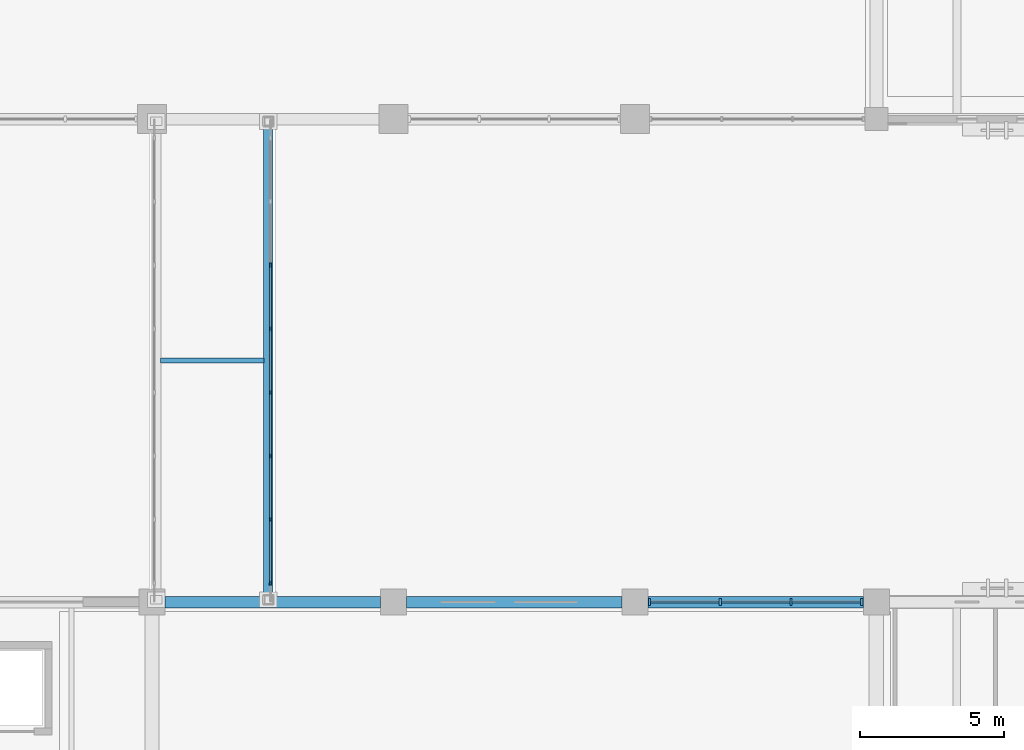
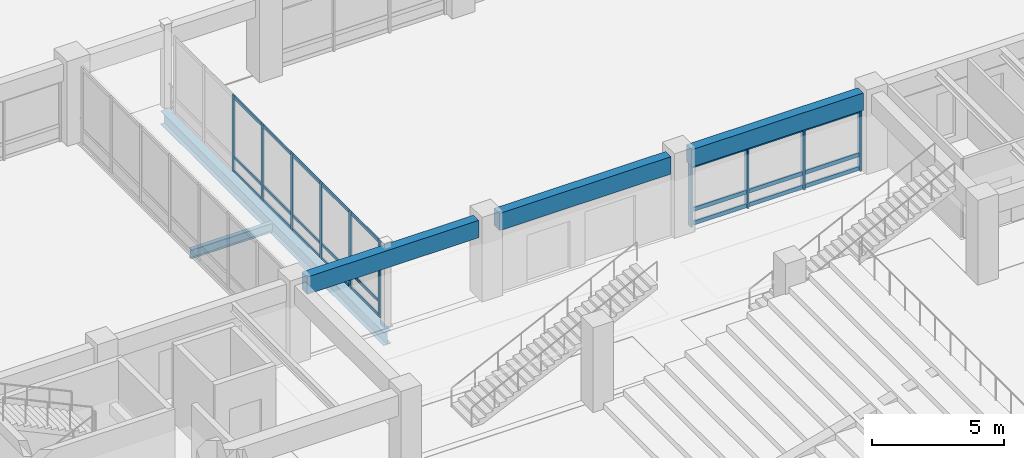
# One storey, part 38 of 135: 34 members, 5 beams, 2 elements without a shape of their own.
"""IFC4 building model written with IfcOpenShell, lengths in metres."""

from ifc_helpers import new_model, si_unit, direction, frame, origin, origin_2d, place, context, subcontext, project, spatial, rectangle, i_section, extrude, material, material_profile, profile_set, type_object, element, aggregate, save


model = new_model("IFC4")

# Units and contexts
model_context = context("Model", 3, precision=1e-05, world=origin(), true_north=direction((0.0, 1.0)))
body_context = subcontext(model_context, "Body", "Model", "MODEL_VIEW")
ifc_project = project(units=[si_unit("LENGTHUNIT", "METRE"), si_unit("AREAUNIT", "SQUARE_METRE"), si_unit("VOLUMEUNIT", "CUBIC_METRE"), si_unit("PLANEANGLEUNIT", "RADIAN"), si_unit("MASSUNIT", "GRAM", prefix="KILO")], contexts=[model_context])

# Site, building, storey
site_placement = place(None, origin())
site = spatial("IfcSite", under=ifc_project, at=site_placement, CompositionType="ELEMENT")
building_placement = place(site_placement, origin())
building = spatial("IfcBuilding", under=site, at=building_placement, Name="Cumbredor Promenade Congress Hotel", CompositionType="ELEMENT")
storey_placement = place(building_placement, origin())
storey = spatial("IfcBuildingStorey", under=building, at=storey_placement, Name="L00", CompositionType="ELEMENT", Elevation=0.0)

# Beam
ifc_material_1 = material(Name="Steel ASTM A992 Grade 50", Category="steel")
ifc_material_profile_1 = material_profile(ifc_material_1, i_section(OverallWidth=0.323974609375, OverallDepth=0.611083984375, WebThickness=0.0126953125, FlangeThickness=0.01904296875, at=origin_2d()), Name="W24X104")
ifc_profile_set_1 = profile_set([ifc_material_profile_1], Name="Steel ASTM A992 Grade 50")
beam_type_1 = type_object("IfcBeamType", Name="BM-W24X104", PredefinedType="BEAM", material=ifc_profile_set_1)
beam_1_placement = place(storey_placement, frame((29.25, 67.159912109375, -0.525390625), z_axis=(0.0, 1.0, 0.0), x_axis=(-1.0, 0.0, 0.0)))
element("IfcBeam", 1, at=beam_1_placement, inside=storey, type_object=beam_type_1, Name="L00 West Congress-to-Hotel Glazed Bridge Edge Girder 2", PredefinedType="BEAM", context=body_context, shape_type="SweptSolid", body=[
    extrude(i_section(OverallWidth=0.323974609375, OverallDepth=0.611083984375, WebThickness=0.0126953125, FlangeThickness=0.01904296875, at=origin_2d()), origin(), (0.0, 0.0, 1.0), 16.880126953125),
])

# Curtain wall, members
ifc_material_2 = material(Name="Thermally broken anodized aluminium and low-E glass", Category="aluminium")
curtain_wall_type_1 = type_object("IfcCurtainWallType", Name="Unitised Bridge Glazing Screen CW-05", PredefinedType="NOTDEFINED", material=ifc_material_2)
curtain_wall_1_placement = place(storey_placement, origin())
curtain_wall_1 = element("IfcCurtainWall", 2, at=curtain_wall_1_placement, inside=storey, type_object=curtain_wall_type_1, Name="L00 West Congress-to-Hotel Glazed Bridge East Glazing Screen", PredefinedType="NOTDEFINED")
ifc_material_3 = material(Name="Thermally broken anodized aluminium", Category="aluminium")
ifc_material_profile_2 = material_profile(ifc_material_3, rectangle(XDim=0.06494140625, YDim=0.159912109375, at=origin_2d()), Name="ALU MULLION 65x160")
ifc_profile_set_2 = profile_set([ifc_material_profile_2], Name="Thermally broken anodized aluminium")
member_type_1 = type_object("IfcMemberType", Name="Curtain Wall Mullion ML-01", PredefinedType="MULLION", material=ifc_profile_set_2)
member_1_placement = place(storey_placement, frame((29.320068359375, 67.860107421875, -0.008056640625), z_axis=(0.0, 0.0, 1.0), x_axis=(1.0, 0.0, 0.0)))
member_1 = element("IfcMember", 3, at=member_1_placement, type_object=member_type_1, Name="L00 West Congress-to-Hotel Glazed Bridge East Glazing Screen Mullion 1", PredefinedType="MULLION", context=body_context, shape_type="SweptSolid", body=[
    extrude(rectangle(XDim=0.06494140625, YDim=0.159912109375, at=origin_2d()), origin(), (0.0, 0.0, 1.0), 3.55615234375),
])
member_2_placement = place(storey_placement, frame((29.320068359375, 70.0712890625, -0.008056640625), z_axis=(0.0, 0.0, 1.0), x_axis=(1.0, 0.0, 0.0)))
member_2 = element("IfcMember", 4, at=member_2_placement, type_object=member_type_1, Name="L00 West Congress-to-Hotel Glazed Bridge East Glazing Screen Mullion 2", PredefinedType="MULLION", context=body_context, shape_type="SweptSolid", body=[
    extrude(rectangle(XDim=0.06494140625, YDim=0.159912109375, at=origin_2d()), origin(), (0.0, 0.0, 1.0), 3.55615234375),
])
member_3_placement = place(storey_placement, frame((29.320068359375, 72.282958984375, -0.008056640625), z_axis=(0.0, 0.0, 1.0), x_axis=(1.0, 0.0, 0.0)))
member_3 = element("IfcMember", 5, at=member_3_placement, type_object=member_type_1, Name="L00 West Congress-to-Hotel Glazed Bridge East Glazing Screen Mullion 3", PredefinedType="MULLION", context=body_context, shape_type="SweptSolid", body=[
    extrude(rectangle(XDim=0.06494140625, YDim=0.159912109375, at=origin_2d()), origin(), (0.0, 0.0, 1.0), 3.55615234375),
])
member_4_placement = place(storey_placement, frame((29.320068359375, 74.494384765625, -0.008056640625), z_axis=(0.0, 0.0, 1.0), x_axis=(1.0, 0.0, 0.0)))
member_4 = element("IfcMember", 6, at=member_4_placement, type_object=member_type_1, Name="L00 West Congress-to-Hotel Glazed Bridge East Glazing Screen Mullion 4", PredefinedType="MULLION", context=body_context, shape_type="SweptSolid", body=[
    extrude(rectangle(XDim=0.06494140625, YDim=0.159912109375, at=origin_2d()), origin(), (0.0, 0.0, 1.0), 3.55615234375),
])
member_5_placement = place(storey_placement, frame((29.320068359375, 76.705810546875, -0.008056640625), z_axis=(0.0, 0.0, 1.0), x_axis=(1.0, 0.0, 0.0)))
member_5 = element("IfcMember", 7, at=member_5_placement, type_object=member_type_1, Name="L00 West Congress-to-Hotel Glazed Bridge East Glazing Screen Mullion 5", PredefinedType="MULLION", context=body_context, shape_type="SweptSolid", body=[
    extrude(rectangle(XDim=0.06494140625, YDim=0.159912109375, at=origin_2d()), origin(), (0.0, 0.0, 1.0), 3.55615234375),
])
member_6_placement = place(storey_placement, frame((29.320068359375, 78.9169921875, -0.008056640625), z_axis=(0.0, 0.0, 1.0), x_axis=(1.0, 0.0, 0.0)))
member_6 = element("IfcMember", 8, at=member_6_placement, type_object=member_type_1, Name="L00 West Congress-to-Hotel Glazed Bridge East Glazing Screen Mullion 6", PredefinedType="MULLION", context=body_context, shape_type="SweptSolid", body=[
    extrude(rectangle(XDim=0.06494140625, YDim=0.159912109375, at=origin_2d()), origin(), (0.0, 0.0, 1.0), 3.55615234375),
])

curtain_wall_type_2 = type_object("IfcCurtainWallType", Name="Unitised Grand Foyer Curtain Wall CW-04", PredefinedType="NOTDEFINED", material=ifc_material_2)
curtain_wall_2_placement = place(storey_placement, origin())
curtain_wall_2 = element("IfcCurtainWall", 9, at=curtain_wall_2_placement, inside=storey, type_object=curtain_wall_type_2, Name="L00 Plenary Congress Hall North Curtain Wall 5", PredefinedType="NOTDEFINED")
ifc_material_profile_3 = material_profile(ifc_material_3, rectangle(XDim=0.080078125, YDim=0.239990234375, at=origin_2d()), Name="ALU MULLION 80x240")
ifc_profile_set_3 = profile_set([ifc_material_profile_3], Name="Thermally broken anodized aluminium")
member_type_2 = type_object("IfcMemberType", Name="Curtain Wall Mullion ML-03", PredefinedType="MULLION", material=ifc_profile_set_3)
member_7_placement = place(storey_placement, frame((42.5048828125, 67.199951171875, -0.008056640625), z_axis=(0.0, 0.0, 1.0), x_axis=(1.0, 0.0, 0.0)))
member_7 = element("IfcMember", 10, at=member_7_placement, type_object=member_type_2, Name="L00 Plenary Congress Hall North Curtain Wall 5 Mullion 1", PredefinedType="MULLION", context=body_context, shape_type="SweptSolid", body=[
    extrude(rectangle(XDim=0.080078125, YDim=0.239990234375, at=origin_2d()), origin(), (0.0, 0.0, 1.0), 2.841064453125),
])
member_8_placement = place(storey_placement, frame((44.96826171875, 67.199951171875, -0.008056640625), z_axis=(0.0, 0.0, 1.0), x_axis=(1.0, 0.0, 0.0)))
member_8 = element("IfcMember", 11, at=member_8_placement, type_object=member_type_2, Name="L00 Plenary Congress Hall North Curtain Wall 5 Mullion 2", PredefinedType="MULLION", context=body_context, shape_type="SweptSolid", body=[
    extrude(rectangle(XDim=0.080078125, YDim=0.239990234375, at=origin_2d()), origin(), (0.0, 0.0, 1.0), 2.841064453125),
])
member_9_placement = place(storey_placement, frame((47.431640625, 67.199951171875, -0.008056640625), z_axis=(0.0, 0.0, 1.0), x_axis=(1.0, 0.0, 0.0)))
member_9 = element("IfcMember", 12, at=member_9_placement, type_object=member_type_2, Name="L00 Plenary Congress Hall North Curtain Wall 5 Mullion 3", PredefinedType="MULLION", context=body_context, shape_type="SweptSolid", body=[
    extrude(rectangle(XDim=0.080078125, YDim=0.239990234375, at=origin_2d()), origin(), (0.0, 0.0, 1.0), 2.841064453125),
])
member_10_placement = place(storey_placement, frame((49.89501953125, 67.199951171875, -0.008056640625), z_axis=(0.0, 0.0, 1.0), x_axis=(1.0, 0.0, 0.0)))
member_10 = element("IfcMember", 13, at=member_10_placement, type_object=member_type_2, Name="L00 Plenary Congress Hall North Curtain Wall 5 Mullion 4", PredefinedType="MULLION", context=body_context, shape_type="SweptSolid", body=[
    extrude(rectangle(XDim=0.080078125, YDim=0.239990234375, at=origin_2d()), origin(), (0.0, 0.0, 1.0), 2.841064453125),
])

# Member
ifc_material_profile_4 = material_profile(ifc_material_3, rectangle(XDim=0.06494140625, YDim=0.1298828125, at=origin_2d()), Name="ALU TRANSOM 65x130")
ifc_profile_set_4 = profile_set([ifc_material_profile_4], Name="Thermally broken anodized aluminium")
member_type_3 = type_object("IfcMemberType", Name="Curtain Wall Transom TR-01", PredefinedType="USERDEFINED", material=ifc_profile_set_4)
member_11_placement = place(storey_placement, frame((29.320068359375, 67.892578125, 0.070068359375), z_axis=(0.0, 1.0, 0.0), x_axis=(-1.0, 0.0, 0.0)))
member_11 = element("IfcMember", 14, at=member_11_placement, type_object=member_type_3, Name="L00 West Congress-to-Hotel Glazed Bridge East Glazing Screen Transom 1.1", ObjectType="TRANSOM", PredefinedType="USERDEFINED", context=body_context, shape_type="SweptSolid", body=[
    extrude(rectangle(XDim=0.06494140625, YDim=0.1298828125, at=origin_2d()), origin(), (0.0, 0.0, 1.0), 2.146240234375),
])

member_12_placement = place(storey_placement, frame((29.320068359375, 67.892578125, 0.719970703125), z_axis=(0.0, 1.0, 0.0), x_axis=(-1.0, 0.0, 0.0)))
member_12 = element("IfcMember", 15, at=member_12_placement, type_object=member_type_3, Name="L00 West Congress-to-Hotel Glazed Bridge East Glazing Screen Transom 1.2", ObjectType="TRANSOM", PredefinedType="USERDEFINED", context=body_context, shape_type="SweptSolid", body=[
    extrude(rectangle(XDim=0.06494140625, YDim=0.1298828125, at=origin_2d()), origin(), (0.0, 0.0, 1.0), 2.146240234375),
])

member_13_placement = place(storey_placement, frame((29.320068359375, 67.892578125, 3.47998046875), z_axis=(0.0, 1.0, 0.0), x_axis=(-1.0, 0.0, 0.0)))
member_13 = element("IfcMember", 16, at=member_13_placement, type_object=member_type_3, Name="L00 West Congress-to-Hotel Glazed Bridge East Glazing Screen Transom 1.3", ObjectType="TRANSOM", PredefinedType="USERDEFINED", context=body_context, shape_type="SweptSolid", body=[
    extrude(rectangle(XDim=0.06494140625, YDim=0.1298828125, at=origin_2d()), origin(), (0.0, 0.0, 1.0), 2.146240234375),
])

member_14_placement = place(storey_placement, frame((29.320068359375, 70.10400390625, 0.070068359375), z_axis=(0.0, 1.0, 0.0), x_axis=(-1.0, 0.0, 0.0)))
member_14 = element("IfcMember", 17, at=member_14_placement, type_object=member_type_3, Name="L00 West Congress-to-Hotel Glazed Bridge East Glazing Screen Transom 2.1", ObjectType="TRANSOM", PredefinedType="USERDEFINED", context=body_context, shape_type="SweptSolid", body=[
    extrude(rectangle(XDim=0.06494140625, YDim=0.1298828125, at=origin_2d()), origin(), (0.0, 0.0, 1.0), 2.146484375),
])

member_15_placement = place(storey_placement, frame((29.320068359375, 70.10400390625, 0.719970703125), z_axis=(0.0, 1.0, 0.0), x_axis=(-1.0, 0.0, 0.0)))
member_15 = element("IfcMember", 18, at=member_15_placement, type_object=member_type_3, Name="L00 West Congress-to-Hotel Glazed Bridge East Glazing Screen Transom 2.2", ObjectType="TRANSOM", PredefinedType="USERDEFINED", context=body_context, shape_type="SweptSolid", body=[
    extrude(rectangle(XDim=0.06494140625, YDim=0.1298828125, at=origin_2d()), origin(), (0.0, 0.0, 1.0), 2.146484375),
])

member_16_placement = place(storey_placement, frame((29.320068359375, 70.10400390625, 3.47998046875), z_axis=(0.0, 1.0, 0.0), x_axis=(-1.0, 0.0, 0.0)))
member_16 = element("IfcMember", 19, at=member_16_placement, type_object=member_type_3, Name="L00 West Congress-to-Hotel Glazed Bridge East Glazing Screen Transom 2.3", ObjectType="TRANSOM", PredefinedType="USERDEFINED", context=body_context, shape_type="SweptSolid", body=[
    extrude(rectangle(XDim=0.06494140625, YDim=0.1298828125, at=origin_2d()), origin(), (0.0, 0.0, 1.0), 2.146484375),
])

member_17_placement = place(storey_placement, frame((29.320068359375, 72.3154296875, 0.070068359375), z_axis=(0.0, 1.0, 0.0), x_axis=(-1.0, 0.0, 0.0)))
member_17 = element("IfcMember", 20, at=member_17_placement, type_object=member_type_3, Name="L00 West Congress-to-Hotel Glazed Bridge East Glazing Screen Transom 3.1", ObjectType="TRANSOM", PredefinedType="USERDEFINED", context=body_context, shape_type="SweptSolid", body=[
    extrude(rectangle(XDim=0.06494140625, YDim=0.1298828125, at=origin_2d()), origin(), (0.0, 0.0, 1.0), 2.146484375),
])

member_18_placement = place(storey_placement, frame((29.320068359375, 72.3154296875, 0.719970703125), z_axis=(0.0, 1.0, 0.0), x_axis=(-1.0, 0.0, 0.0)))
member_18 = element("IfcMember", 21, at=member_18_placement, type_object=member_type_3, Name="L00 West Congress-to-Hotel Glazed Bridge East Glazing Screen Transom 3.2", ObjectType="TRANSOM", PredefinedType="USERDEFINED", context=body_context, shape_type="SweptSolid", body=[
    extrude(rectangle(XDim=0.06494140625, YDim=0.1298828125, at=origin_2d()), origin(), (0.0, 0.0, 1.0), 2.146484375),
])

member_19_placement = place(storey_placement, frame((29.320068359375, 72.3154296875, 3.47998046875), z_axis=(0.0, 1.0, 0.0), x_axis=(-1.0, 0.0, 0.0)))
member_19 = element("IfcMember", 22, at=member_19_placement, type_object=member_type_3, Name="L00 West Congress-to-Hotel Glazed Bridge East Glazing Screen Transom 3.3", ObjectType="TRANSOM", PredefinedType="USERDEFINED", context=body_context, shape_type="SweptSolid", body=[
    extrude(rectangle(XDim=0.06494140625, YDim=0.1298828125, at=origin_2d()), origin(), (0.0, 0.0, 1.0), 2.146484375),
])

member_20_placement = place(storey_placement, frame((29.320068359375, 74.52685546875, 0.070068359375), z_axis=(0.0, 1.0, 0.0), x_axis=(-1.0, 0.0, 0.0)))
member_20 = element("IfcMember", 23, at=member_20_placement, type_object=member_type_3, Name="L00 West Congress-to-Hotel Glazed Bridge East Glazing Screen Transom 4.1", ObjectType="TRANSOM", PredefinedType="USERDEFINED", context=body_context, shape_type="SweptSolid", body=[
    extrude(rectangle(XDim=0.06494140625, YDim=0.1298828125, at=origin_2d()), origin(), (0.0, 0.0, 1.0), 2.146240234375),
])

member_21_placement = place(storey_placement, frame((29.320068359375, 74.52685546875, 0.719970703125), z_axis=(0.0, 1.0, 0.0), x_axis=(-1.0, 0.0, 0.0)))
member_21 = element("IfcMember", 24, at=member_21_placement, type_object=member_type_3, Name="L00 West Congress-to-Hotel Glazed Bridge East Glazing Screen Transom 4.2", ObjectType="TRANSOM", PredefinedType="USERDEFINED", context=body_context, shape_type="SweptSolid", body=[
    extrude(rectangle(XDim=0.06494140625, YDim=0.1298828125, at=origin_2d()), origin(), (0.0, 0.0, 1.0), 2.146240234375),
])

member_22_placement = place(storey_placement, frame((29.320068359375, 74.52685546875, 3.47998046875), z_axis=(0.0, 1.0, 0.0), x_axis=(-1.0, 0.0, 0.0)))
member_22 = element("IfcMember", 25, at=member_22_placement, type_object=member_type_3, Name="L00 West Congress-to-Hotel Glazed Bridge East Glazing Screen Transom 4.3", ObjectType="TRANSOM", PredefinedType="USERDEFINED", context=body_context, shape_type="SweptSolid", body=[
    extrude(rectangle(XDim=0.06494140625, YDim=0.1298828125, at=origin_2d()), origin(), (0.0, 0.0, 1.0), 2.146240234375),
])

member_23_placement = place(storey_placement, frame((29.320068359375, 76.73828125, 0.070068359375), z_axis=(0.0, 1.0, 0.0), x_axis=(-1.0, 0.0, 0.0)))
member_23 = element("IfcMember", 26, at=member_23_placement, type_object=member_type_3, Name="L00 West Congress-to-Hotel Glazed Bridge East Glazing Screen Transom 5.1", ObjectType="TRANSOM", PredefinedType="USERDEFINED", context=body_context, shape_type="SweptSolid", body=[
    extrude(rectangle(XDim=0.06494140625, YDim=0.1298828125, at=origin_2d()), origin(), (0.0, 0.0, 1.0), 2.146240234375),
])

member_24_placement = place(storey_placement, frame((29.320068359375, 76.73828125, 0.719970703125), z_axis=(0.0, 1.0, 0.0), x_axis=(-1.0, 0.0, 0.0)))
member_24 = element("IfcMember", 27, at=member_24_placement, type_object=member_type_3, Name="L00 West Congress-to-Hotel Glazed Bridge East Glazing Screen Transom 5.2", ObjectType="TRANSOM", PredefinedType="USERDEFINED", context=body_context, shape_type="SweptSolid", body=[
    extrude(rectangle(XDim=0.06494140625, YDim=0.1298828125, at=origin_2d()), origin(), (0.0, 0.0, 1.0), 2.146240234375),
])

member_25_placement = place(storey_placement, frame((29.320068359375, 76.73828125, 3.47998046875), z_axis=(0.0, 1.0, 0.0), x_axis=(-1.0, 0.0, 0.0)))
member_25 = element("IfcMember", 28, at=member_25_placement, type_object=member_type_3, Name="L00 West Congress-to-Hotel Glazed Bridge East Glazing Screen Transom 5.3", ObjectType="TRANSOM", PredefinedType="USERDEFINED", context=body_context, shape_type="SweptSolid", body=[
    extrude(rectangle(XDim=0.06494140625, YDim=0.1298828125, at=origin_2d()), origin(), (0.0, 0.0, 1.0), 2.146240234375),
])

aggregate(curtain_wall_1, [member_1, member_2, member_3, member_4, member_5, member_6, member_11, member_12, member_13, member_14, member_15, member_16, member_17, member_18, member_19, member_20, member_21, member_22, member_23, member_24, member_25])

ifc_material_profile_5 = material_profile(ifc_material_3, rectangle(XDim=0.080078125, YDim=0.179931640625, at=origin_2d()), Name="ALU TRANSOM 80x180")
ifc_profile_set_5 = profile_set([ifc_material_profile_5], Name="Thermally broken anodized aluminium")
member_type_4 = type_object("IfcMemberType", Name="Curtain Wall Transom TR-03", PredefinedType="USERDEFINED", material=ifc_profile_set_5)
member_26_placement = place(storey_placement, frame((42.544921875, 67.199951171875, 0.090087890625), z_axis=(1.0, 0.0, 0.0), x_axis=(0.0, 1.0, 0.0)))
member_26 = element("IfcMember", 29, at=member_26_placement, type_object=member_type_4, Name="L00 Plenary Congress Hall North Curtain Wall 5 Transom 1.1", ObjectType="TRANSOM", PredefinedType="USERDEFINED", context=body_context, shape_type="SweptSolid", body=[
    extrude(rectangle(XDim=0.080078125, YDim=0.179931640625, at=origin_2d()), origin(), (0.0, 0.0, 1.0), 2.38330078125),
])

member_27_placement = place(storey_placement, frame((42.544921875, 67.199951171875, 0.719970703125), z_axis=(1.0, 0.0, 0.0), x_axis=(0.0, 1.0, 0.0)))
member_27 = element("IfcMember", 30, at=member_27_placement, type_object=member_type_4, Name="L00 Plenary Congress Hall North Curtain Wall 5 Transom 1.2", ObjectType="TRANSOM", PredefinedType="USERDEFINED", context=body_context, shape_type="SweptSolid", body=[
    extrude(rectangle(XDim=0.080078125, YDim=0.179931640625, at=origin_2d()), origin(), (0.0, 0.0, 1.0), 2.38330078125),
])

member_28_placement = place(storey_placement, frame((42.544921875, 67.199951171875, 2.739990234375), z_axis=(1.0, 0.0, 0.0), x_axis=(0.0, 1.0, 0.0)))
member_28 = element("IfcMember", 31, at=member_28_placement, type_object=member_type_4, Name="L00 Plenary Congress Hall North Curtain Wall 5 Transom 1.3", ObjectType="TRANSOM", PredefinedType="USERDEFINED", context=body_context, shape_type="SweptSolid", body=[
    extrude(rectangle(XDim=0.080078125, YDim=0.179931640625, at=origin_2d()), origin(), (0.0, 0.0, 1.0), 2.38330078125),
])

member_29_placement = place(storey_placement, frame((45.00830078125, 67.199951171875, 0.090087890625), z_axis=(1.0, 0.0, 0.0), x_axis=(0.0, 1.0, 0.0)))
member_29 = element("IfcMember", 32, at=member_29_placement, type_object=member_type_4, Name="L00 Plenary Congress Hall North Curtain Wall 5 Transom 2.1", ObjectType="TRANSOM", PredefinedType="USERDEFINED", context=body_context, shape_type="SweptSolid", body=[
    extrude(rectangle(XDim=0.080078125, YDim=0.179931640625, at=origin_2d()), origin(), (0.0, 0.0, 1.0), 2.38330078125),
])

member_30_placement = place(storey_placement, frame((45.00830078125, 67.199951171875, 0.719970703125), z_axis=(1.0, 0.0, 0.0), x_axis=(0.0, 1.0, 0.0)))
member_30 = element("IfcMember", 33, at=member_30_placement, type_object=member_type_4, Name="L00 Plenary Congress Hall North Curtain Wall 5 Transom 2.2", ObjectType="TRANSOM", PredefinedType="USERDEFINED", context=body_context, shape_type="SweptSolid", body=[
    extrude(rectangle(XDim=0.080078125, YDim=0.179931640625, at=origin_2d()), origin(), (0.0, 0.0, 1.0), 2.38330078125),
])

member_31_placement = place(storey_placement, frame((45.00830078125, 67.199951171875, 2.739990234375), z_axis=(1.0, 0.0, 0.0), x_axis=(0.0, 1.0, 0.0)))
member_31 = element("IfcMember", 34, at=member_31_placement, type_object=member_type_4, Name="L00 Plenary Congress Hall North Curtain Wall 5 Transom 2.3", ObjectType="TRANSOM", PredefinedType="USERDEFINED", context=body_context, shape_type="SweptSolid", body=[
    extrude(rectangle(XDim=0.080078125, YDim=0.179931640625, at=origin_2d()), origin(), (0.0, 0.0, 1.0), 2.38330078125),
])

member_32_placement = place(storey_placement, frame((47.4716796875, 67.199951171875, 0.090087890625), z_axis=(1.0, 0.0, 0.0), x_axis=(0.0, 1.0, 0.0)))
member_32 = element("IfcMember", 35, at=member_32_placement, type_object=member_type_4, Name="L00 Plenary Congress Hall North Curtain Wall 5 Transom 3.1", ObjectType="TRANSOM", PredefinedType="USERDEFINED", context=body_context, shape_type="SweptSolid", body=[
    extrude(rectangle(XDim=0.080078125, YDim=0.179931640625, at=origin_2d()), origin(), (0.0, 0.0, 1.0), 2.38330078125),
])

member_33_placement = place(storey_placement, frame((47.4716796875, 67.199951171875, 0.719970703125), z_axis=(1.0, 0.0, 0.0), x_axis=(0.0, 1.0, 0.0)))
member_33 = element("IfcMember", 36, at=member_33_placement, type_object=member_type_4, Name="L00 Plenary Congress Hall North Curtain Wall 5 Transom 3.2", ObjectType="TRANSOM", PredefinedType="USERDEFINED", context=body_context, shape_type="SweptSolid", body=[
    extrude(rectangle(XDim=0.080078125, YDim=0.179931640625, at=origin_2d()), origin(), (0.0, 0.0, 1.0), 2.38330078125),
])

member_34_placement = place(storey_placement, frame((47.4716796875, 67.199951171875, 2.739990234375), z_axis=(1.0, 0.0, 0.0), x_axis=(0.0, 1.0, 0.0)))
member_34 = element("IfcMember", 37, at=member_34_placement, type_object=member_type_4, Name="L00 Plenary Congress Hall North Curtain Wall 5 Transom 3.3", ObjectType="TRANSOM", PredefinedType="USERDEFINED", context=body_context, shape_type="SweptSolid", body=[
    extrude(rectangle(XDim=0.080078125, YDim=0.179931640625, at=origin_2d()), origin(), (0.0, 0.0, 1.0), 2.38330078125),
])

aggregate(curtain_wall_2, [member_7, member_8, member_9, member_10, member_26, member_27, member_28, member_29, member_30, member_31, member_32, member_33, member_34])

# Beams
ifc_material_profile_6 = material_profile(ifc_material_1, i_section(OverallWidth=0.180908203125, OverallDepth=0.4169921875, WebThickness=0.010986328125, FlangeThickness=0.018310546875, at=origin_2d()), Name="W16X57")
ifc_profile_set_6 = profile_set([ifc_material_profile_6], Name="Steel ASTM A992 Grade 50")
beam_type_2 = type_object("IfcBeamType", Name="JST-W16X57", PredefinedType="JOIST", material=ifc_profile_set_6)
beam_2_placement = place(storey_placement, frame((25.5, 75.60009765625, -0.428466796875), z_axis=(1.0, 0.0, 0.0), x_axis=(0.0, 1.0, 0.0)))
element("IfcBeam", 38, at=beam_2_placement, inside=storey, type_object=beam_type_2, Name="L00 West Congress-to-Hotel Glazed Bridge Cross Beam", PredefinedType="JOIST", context=body_context, shape_type="SweptSolid", body=[
    extrude(i_section(OverallWidth=0.180908203125, OverallDepth=0.4169921875, WebThickness=0.010986328125, FlangeThickness=0.018310546875, at=origin_2d()), origin(), (0.0, 0.0, 1.0), 3.60009765625),
])
ifc_material_4 = material(Name="Concrete C40/50", Category="concrete")
ifc_material_profile_7 = material_profile(ifc_material_4, rectangle(XDim=0.39990234375, YDim=0.800048828125, at=origin_2d()), Name="RC SPANDREL 400x800")
ifc_profile_set_7 = profile_set([ifc_material_profile_7], Name="Concrete C40/50")
beam_type_3 = type_object("IfcBeamType", Name="SP-RC-400x800", PredefinedType="SPANDREL", material=ifc_profile_set_7)
for number, where, z_axis, x_axis, name in (
    (39, (25.64990234375, 67.199951171875, 3.239990234375), (1.0, 0.0, 0.0), (0.0, 1.0, 0.0), "L01 X-Grid Beam 053"),
    (40, (34.050048828125, 67.199951171875, 3.239990234375), (1.0, 0.0, 0.0), (0.0, 1.0, 0.0), "L01 X-Grid Beam 059"),
    (41, (42.449951171875, 67.199951171875, 3.239990234375), (1.0, 0.0, 0.0), (0.0, 1.0, 0.0), "L01 X-Grid Beam 066"),
):
    element("IfcBeam", number, at=place(storey_placement, frame(where, z_axis=z_axis, x_axis=x_axis)), inside=storey, type_object=beam_type_3, Name=name, PredefinedType="SPANDREL", context=body_context, shape_type="SweptSolid", body=[
        extrude(rectangle(XDim=0.39990234375, YDim=0.800048828125, at=origin_2d()), origin(), (0.0, 0.0, 1.0), 7.5),
    ])

save(model, "model.ifc")
